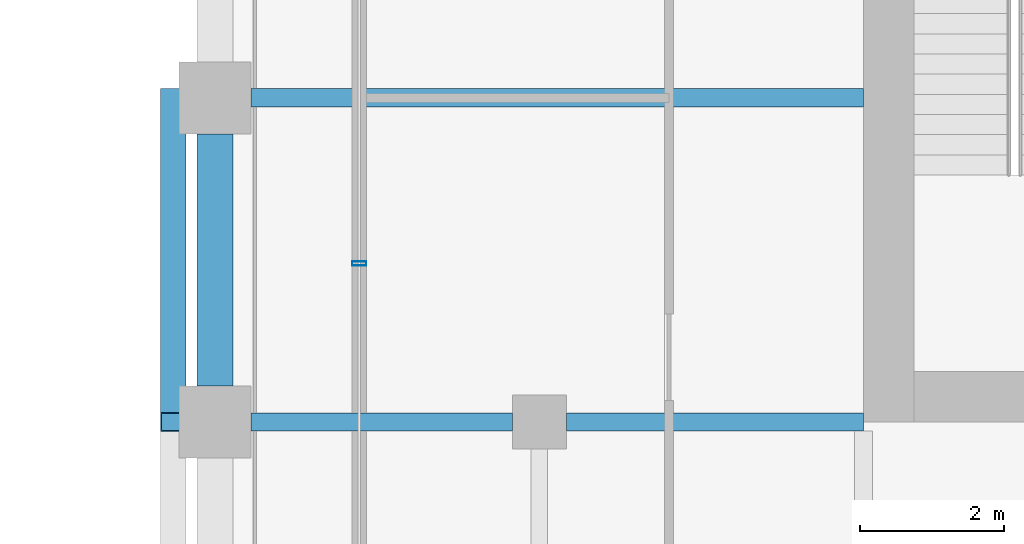
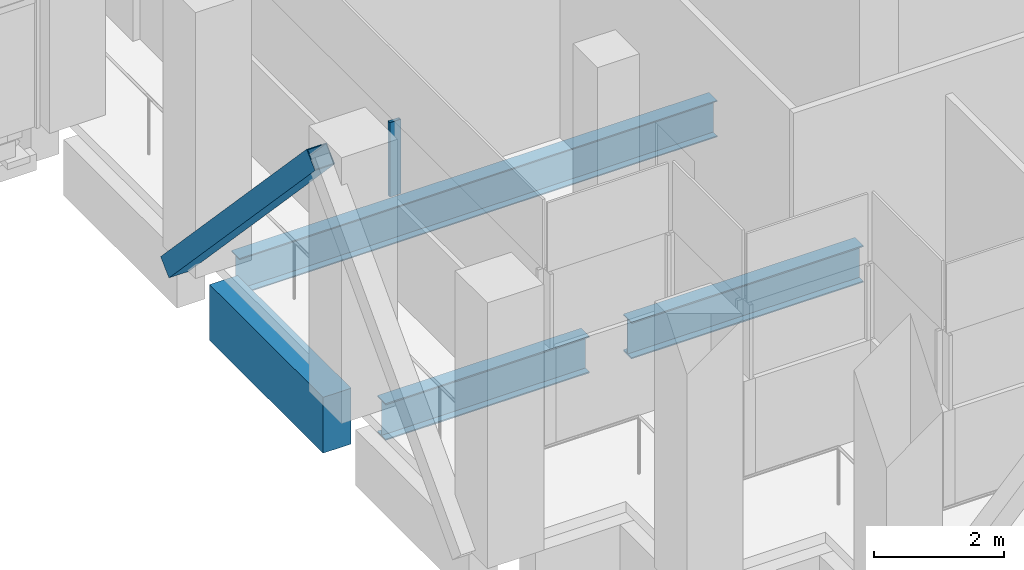
# One storey, part 22 of 48: 4 beams, 2 members, 1 element without a shape of its own.
"""IFC4 building model written with IfcOpenShell, lengths in metres."""

from ifc_helpers import new_model, si_unit, direction, frame, origin, origin_2d, place, context, subcontext, project, spatial, rectangle, hollow_rectangle, i_section, extrude, material, material_profile, profile_set, type_object, element, aggregate, save


model = new_model("IFC4")

# Units and contexts
model_context = context("Model", 3, precision=1e-05, world=origin(), true_north=direction((0.0, 1.0)))
body_context = subcontext(model_context, "Body", "Model", "MODEL_VIEW")
ifc_project = project(units=[si_unit("LENGTHUNIT", "METRE"), si_unit("AREAUNIT", "SQUARE_METRE"), si_unit("VOLUMEUNIT", "CUBIC_METRE"), si_unit("PLANEANGLEUNIT", "RADIAN"), si_unit("MASSUNIT", "GRAM", prefix="KILO")], contexts=[model_context])

# Site, building, storey
site_placement = place(None, origin())
site = spatial("IfcSite", under=ifc_project, at=site_placement, CompositionType="ELEMENT")
building_placement = place(site_placement, origin())
building = spatial("IfcBuilding", under=site, at=building_placement, Name="Altepetl Exchange Towers", CompositionType="ELEMENT")
storey_placement = place(building_placement, frame((0.0, 0.0, 138.800048828125)))
storey = spatial("IfcBuildingStorey", under=building, at=storey_placement, Name="L34 Refuge and sky lobby", CompositionType="ELEMENT", Elevation=138.800048828125)

# Member
ifc_material_1 = material(Name="Steel S355", Category="steel")
ifc_material_profile_1 = material_profile(ifc_material_1, hollow_rectangle(XDim=0.35595703125, YDim=0.35595703125, WallThickness=0.014892578125, at=origin_2d()), Name="HSS356X356X15.9")
ifc_profile_set_1 = profile_set([ifc_material_profile_1], Name="Steel S355")
member_type_1 = type_object("IfcMemberType", Name="Belt diagonal HSS356X356X15.9", PredefinedType="BRACE", material=ifc_profile_set_1)
member_1_placement = place(storey_placement, frame((93.919921875, 40.5, 0.0), z_axis=(0.0, -0.687744647911, 0.725952683906), x_axis=(1.0, 0.0, 0.0)))
element("IfcMember", 1, at=member_1_placement, inside=storey, type_object=member_type_1, Name="brc:B:L34:012", PredefinedType="BRACE", context=body_context, shape_type="SweptSolid", body=[
    extrude(hollow_rectangle(XDim=0.35595703125, YDim=0.35595703125, WallThickness=0.014892578125, at=origin_2d()), origin(), (0.0, 0.0, 1.0), 6.543212890625),
])

# Beams
ifc_material_profile_2 = material_profile(ifc_material_1, i_section(OverallWidth=0.25390625, OverallDepth=0.68798828125, WebThickness=0.01318359375, FlangeThickness=0.02099609375, at=origin_2d()), Name="W27X102")
ifc_profile_set_2 = profile_set([ifc_material_profile_2], Name="Steel S355")
beam_type_1 = type_object("IfcBeamType", Name="Floor beam W27X102", PredefinedType="BEAM", material=ifc_profile_set_2)
beam_1_placement = place(storey_placement, frame((95.0, 40.5, -0.5439453125), z_axis=(1.0, 0.0, 0.0), x_axis=(0.0, 1.0, 0.0)))
element("IfcBeam", 2, at=beam_1_placement, inside=storey, type_object=beam_type_1, Name="bm:B:L34:008", PredefinedType="BEAM", context=body_context, shape_type="SweptSolid", body=[
    extrude(i_section(OverallWidth=0.25390625, OverallDepth=0.68798828125, WebThickness=0.01318359375, FlangeThickness=0.02099609375, at=origin_2d()), origin(), (0.0, 0.0, 1.0), 8.5),
])
ifc_material_profile_3 = material_profile(ifc_material_1, i_section(OverallWidth=0.256103515625, OverallDepth=0.69189453125, WebThickness=0.014404296875, FlangeThickness=0.02294921875, at=origin_2d()), Name="W27X114")
ifc_profile_set_3 = profile_set([ifc_material_profile_3], Name="Steel S355")
beam_type_2 = type_object("IfcBeamType", Name="Girder W27X114", PredefinedType="BEAM", material=ifc_profile_set_3)
beam_2_placement = place(storey_placement, frame((103.5, 36.0, -0.546142578125), z_axis=(-1.0, 0.0, 0.0), x_axis=(0.0, -1.0, 0.0)))
element("IfcBeam", 3, at=beam_2_placement, inside=storey, type_object=beam_type_2, Name="gd:B:L34:002", PredefinedType="BEAM", context=body_context, shape_type="SweptSolid", body=[
    extrude(i_section(OverallWidth=0.256103515625, OverallDepth=0.69189453125, WebThickness=0.014404296875, FlangeThickness=0.02294921875, at=origin_2d()), origin(), (0.0, 0.0, 1.0), 4.125),
])
beam_3_placement = place(storey_placement, frame((98.625, 36.0, -0.546142578125), z_axis=(-1.0, 0.0, 0.0), x_axis=(0.0, -1.0, 0.0)))
element("IfcBeam", 4, at=beam_3_placement, inside=storey, type_object=beam_type_2, Name="gd:B:L34:003", PredefinedType="BEAM", context=body_context, shape_type="SweptSolid", body=[
    extrude(i_section(OverallWidth=0.256103515625, OverallDepth=0.69189453125, WebThickness=0.014404296875, FlangeThickness=0.02294921875, at=origin_2d()), origin(), (0.0, 0.0, 1.0), 3.625),
])

# Curtain wall, member
ifc_material_2 = material(Name="Aluminium 6063-T6 glazing", Category="aluminium")
curtain_wall_type = type_object("IfcCurtainWallType", Name="Refuge slit glazing system", PredefinedType="NOTDEFINED", material=ifc_material_2)
curtain_wall_placement = place(storey_placement, origin())
curtain_wall = element("IfcCurtainWall", 5, at=curtain_wall_placement, inside=storey, type_object=curtain_wall_type, Name="CW3 run", PredefinedType="NOTDEFINED")
ifc_material_3 = material(Name="Aluminium 6063-T6", Category="aluminium")
ifc_material_profile_4 = material_profile(ifc_material_3, hollow_rectangle(XDim=0.06005859375, YDim=0.199951171875, WallThickness=0.0029296875, at=origin_2d()), Name="Mullion 60x200 aluminium")
ifc_profile_set_4 = profile_set([ifc_material_profile_4], Name="Aluminium 6063-T6")
member_type_2 = type_object("IfcMemberType", Name="Mullion 60x200 aluminium", PredefinedType="MULLION", material=ifc_profile_set_4)
member_2_placement = place(storey_placement, frame((96.5, 38.199951171875, 1.800048828125), z_axis=(0.0, 0.0, 1.0), x_axis=(0.0, -1.0, 0.0)))
member_2 = element("IfcMember", 6, at=member_2_placement, type_object=member_type_2, Name="MU2 mullion", PredefinedType="MULLION", context=body_context, shape_type="SweptSolid", body=[
    extrude(hollow_rectangle(XDim=0.06005859375, YDim=0.199951171875, WallThickness=0.0029296875, at=origin_2d()), origin(), (0.0, 0.0, 1.0), 1.39990234375),
])
aggregate(curtain_wall, [member_2])

# Beam
ifc_material_4 = material(Name="Concrete C50/60 precast with cantera rosa facing", Category="concrete")
ifc_material_profile_5 = material_profile(ifc_material_4, rectangle(XDim=0.5, YDim=1.050048828125, at=origin_2d()), Name="500 x 1050")
ifc_profile_set_5 = profile_set([ifc_material_profile_5], Name="Concrete C50/60 precast with cantera rosa facing")
beam_type_3 = type_object("IfcBeamType", Name="Spandrel beam 500x1050 cantera rosa", PredefinedType="SPANDREL", material=ifc_profile_set_5)
beam_4_placement = place(storey_placement, frame((94.5, 40.0, -0.72509765625), z_axis=(0.0, -1.0, 0.0), x_axis=(1.0, 0.0, 0.0)))
element("IfcBeam", 7, at=beam_4_placement, inside=storey, type_object=beam_type_3, Name="sp:B:L34:025", PredefinedType="SPANDREL", context=body_context, shape_type="SweptSolid", body=[
    extrude(rectangle(XDim=0.5, YDim=1.050048828125, at=origin_2d()), origin(), (0.0, 0.0, 1.0), 3.5),
])

save(model, "model.ifc")
